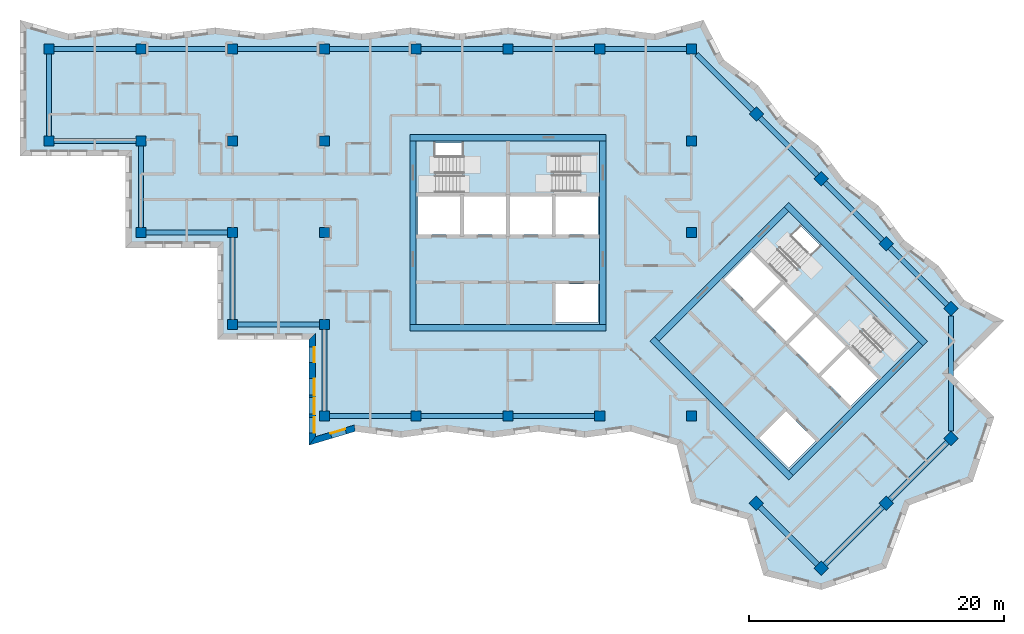
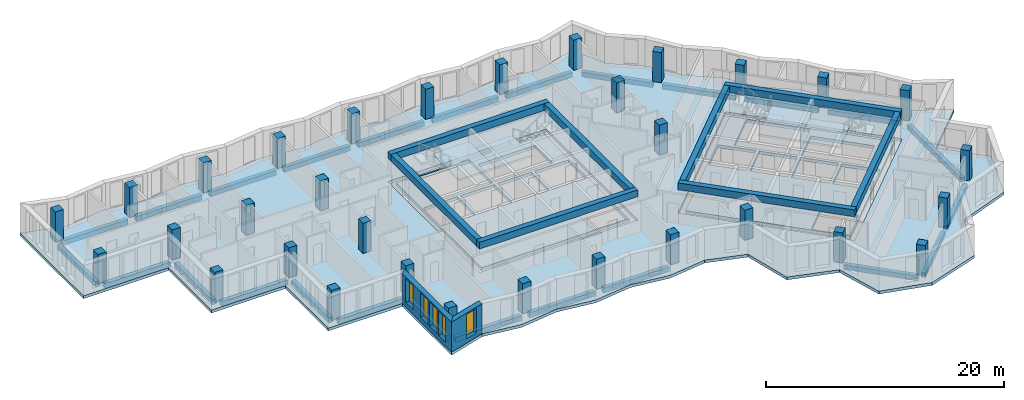
# One storey, part 1 of 12: 33 beams, 32 columns, 7 slabs, 5 windows, 2 walls, 21 openings, 4 elements without a shape of their own.
"""IFC4 building model written with IfcOpenShell, lengths in metres."""

from ifc_helpers import new_model, si_unit, direction, frame, frame_2d, origin, origin_2d, place, context, subcontext, project, spatial, polyline, rectangle, outline, extrude, material, layer, layer_set, material_profile, profile_set, type_object, element, fill, aggregate, save


model = new_model("IFC4")

# Units and contexts
model_context = context("Model", 3, precision=1e-05, world=origin(), true_north=direction((0.0, 1.0)))
body_context = subcontext(model_context, "Body", "Model", "MODEL_VIEW")
ifc_project = project(units=[si_unit("LENGTHUNIT", "METRE"), si_unit("AREAUNIT", "SQUARE_METRE"), si_unit("VOLUMEUNIT", "CUBIC_METRE"), si_unit("PLANEANGLEUNIT", "RADIAN"), si_unit("MASSUNIT", "GRAM", prefix="KILO")], contexts=[model_context])

# Site, building, storey
site_placement = place(None, origin())
site = spatial("IfcSite", under=ifc_project, at=site_placement, CompositionType="ELEMENT")
building_placement = place(site_placement, origin())
building = spatial("IfcBuilding", under=site, at=building_placement, Name="Windrow Commons", CompositionType="ELEMENT")
storey_placement = place(building_placement, frame((0.0, 0.0, 210.0)))
storey = spatial("IfcBuildingStorey", under=building, at=storey_placement, Name="L57", CompositionType="ELEMENT", Elevation=210.0)

# Columns
ifc_material_1 = material(Name="Concrete C50/60", Category="concrete")
ifc_material_profile_1 = material_profile(ifc_material_1, rectangle(XDim=0.8, YDim=0.8, at=origin_2d()))
ifc_profile_set_1 = profile_set([ifc_material_profile_1], Name="Concrete C50/60")
column_type = type_object("IfcColumnType", Name="RC COLUMN 800x800 C50/60", PredefinedType="COLUMN", material=ifc_profile_set_1)
for number, where, z_axis, x_axis, name in (
    (1, (28.8, 64.8, 0.0), (0.0, 0.0, 1.0), (1.0, 0.0, 0.0), "C-Z4-05I"),
    (2, (28.8, 72.0, 0.0), (0.0, 0.0, 1.0), (1.0, 0.0, 0.0), "C-Z4-05J"),
    (3, (36.0, 57.6, 0.0), (0.0, 0.0, 1.0), (1.0, 0.0, 0.0), "C-Z4-06H"),
    (4, (36.0, 64.8, 0.0), (0.0, 0.0, 1.0), (1.0, 0.0, 0.0), "C-Z4-06I"),
    (5, (36.0, 72.0, 0.0), (0.0, 0.0, 1.0), (1.0, 0.0, 0.0), "C-Z4-06J"),
    (6, (43.2, 50.4, 0.0), (0.0, 0.0, 1.0), (1.0, 0.0, 0.0), "C-Z4-07G"),
    (7, (43.2, 57.6, 0.0), (0.0, 0.0, 1.0), (1.0, 0.0, 0.0), "C-Z4-07H"),
    (8, (43.2, 64.8, 0.0), (0.0, 0.0, 1.0), (1.0, 0.0, 0.0), "C-Z4-07I"),
    (9, (43.2, 72.0, 0.0), (0.0, 0.0, 1.0), (1.0, 0.0, 0.0), "C-Z4-07J"),
    (10, (50.4, 43.2, 0.0), (0.0, 0.0, 1.0), (1.0, 0.0, 0.0), "C-Z4-08F"),
    (11, (50.4, 50.4, 0.0), (0.0, 0.0, 1.0), (1.0, 0.0, 0.0), "C-Z4-08G"),
    (12, (50.4, 57.6, 0.0), (0.0, 0.0, 1.0), (1.0, 0.0, 0.0), "C-Z4-08H"),
    (13, (50.4, 64.8, 0.0), (0.0, 0.0, 1.0), (1.0, 0.0, 0.0), "C-Z4-08I"),
    (14, (50.4, 72.0, 0.0), (0.0, 0.0, 1.0), (1.0, 0.0, 0.0), "C-Z4-08J"),
    (15, (57.6, 43.2, 0.0), (0.0, 0.0, 1.0), (1.0, 0.0, 0.0), "C-Z4-09F"),
    (16, (57.6, 72.0, 0.0), (0.0, 0.0, 1.0), (1.0, 0.0, 0.0), "C-Z4-09J"),
    (17, (64.8, 43.2, 0.0), (0.0, 0.0, 1.0), (1.0, 0.0, 0.0), "C-Z4-10F"),
    (18, (64.8, 72.0, 0.0), (0.0, 0.0, 1.0), (1.0, 0.0, 0.0), "C-Z4-10J"),
    (19, (72.0, 43.2, 0.0), (0.0, 0.0, 1.0), (1.0, 0.0, 0.0), "C-Z4-11F"),
    (20, (72.0, 72.0, 0.0), (0.0, 0.0, 1.0), (1.0, 0.0, 0.0), "C-Z4-11J"),
    (21, (79.2, 43.2, 0.0), (0.0, 0.0, 1.0), (1.0, 0.0, 0.0), "C-Z4-12F"),
    (22, (79.2, 57.6, 0.0), (0.0, 0.0, 1.0), (1.0, 0.0, 0.0), "C-Z4-12H"),
    (23, (79.2, 64.8, 0.0), (0.0, 0.0, 1.0), (1.0, 0.0, 0.0), "C-Z4-12I"),
    (24, (79.2, 72.0, 0.0), (0.0, 0.0, 1.0), (1.0, 0.0, 0.0), "C-Z4-12J"),
    (25, (84.2912, 66.9088, 0.0), (0.0, 0.0, 1.0), (0.7071067812, -0.7071067812, 0.0), "C-Z4-P2Q"),
    (26, (89.3823, 61.8177, 0.0), (0.0, 0.0, 1.0), (0.7071067812, -0.7071067812, 0.0), "C-Z4-P3Q"),
    (27, (94.4735, 56.7265, 0.0), (0.0, 0.0, 1.0), (0.7071067812, -0.7071067812, 0.0), "C-Z4-P4Q"),
    (28, (99.5647, 51.6353, 0.0), (0.0, 0.0, 1.0), (0.7071067812, -0.7071067812, 0.0), "C-Z4-P5Q"),
    (29, (84.2912, 36.3618, 0.0), (0.0, 0.0, 1.0), (0.7071067812, -0.7071067812, 0.0), "C-Z4-P5T"),
    (30, (99.5647, 41.453, 0.0), (0.0, 0.0, 1.0), (0.7071067812, -0.7071067812, 0.0), "C-Z4-P6R"),
    (31, (94.4735, 36.3618, 0.0), (0.0, 0.0, 1.0), (0.7071067812, -0.7071067812, 0.0), "C-Z4-P6S"),
    (32, (89.3823, 31.2706, 0.0), (0.0, 0.0, 1.0), (0.7071067812, -0.7071067812, 0.0), "C-Z4-P6T"),
):
    element("IfcColumn", number, at=place(storey_placement, frame(where, z_axis=z_axis, x_axis=x_axis)), inside=storey, type_object=column_type, Name=name, PredefinedType="COLUMN", context=body_context, shape_type="SweptSolid", body=[
        extrude(rectangle(XDim=0.8, YDim=0.8, at=origin_2d()), origin(), (0.0, 0.0, 1.0), 3.1),
    ])

# Beams
ifc_material_2 = material(Name="Concrete C40/50", Category="concrete")
ifc_material_profile_2 = material_profile(ifc_material_2, rectangle(XDim=0.5, YDim=0.7, at=origin_2d()))
ifc_profile_set_2 = profile_set([ifc_material_profile_2], Name="Concrete C40/50")
beam_type_1 = type_object("IfcBeamType", Name="RC COUPLING BEAM 500x700 C40/50", PredefinedType="LINTEL", material=ifc_profile_set_2)
for number, where, z_axis, x_axis, name in (
    (33, (57.1, 50.15, 2.75), (1.0, 0.0, 0.0), (0.0, 1.0, 0.0), "Core A coupling beam outer-S"),
    (34, (57.1, 65.05, 2.75), (1.0, 0.0, 0.0), (0.0, 1.0, 0.0), "Core A coupling beam outer-N"),
):
    element("IfcBeam", number, at=place(storey_placement, frame(where, z_axis=z_axis, x_axis=x_axis)), inside=storey, type_object=beam_type_1, Name=name, PredefinedType="LINTEL", context=body_context, shape_type="SweptSolid", body=[
        extrude(rectangle(XDim=0.5, YDim=0.7, at=origin_2d()), origin(), (0.0, 0.0, 1.0), 15.4),
    ])
for number, where, z_axis, x_axis, name in (
    (35, (57.35, 50.4, 2.75), (0.0, 1.0, 0.0), (-1.0, 0.0, 0.0), "Core A coupling beam outer-W"),
    (36, (72.25, 50.4, 2.75), (0.0, 1.0, 0.0), (-1.0, 0.0, 0.0), "Core A coupling beam outer-E"),
):
    element("IfcBeam", number, at=place(storey_placement, frame(where, z_axis=z_axis, x_axis=x_axis)), inside=storey, type_object=beam_type_1, Name=name, PredefinedType="LINTEL", context=body_context, shape_type="SweptSolid", body=[
        extrude(rectangle(XDim=0.5, YDim=0.7, at=origin_2d()), origin(), (0.0, 0.0, 1.0), 14.4),
    ])
for number, where, z_axis, x_axis, name in (
    (37, (76.1241, 49.2665, 2.75), (0.7071067812, -0.7071067812, 0.0), (0.7071067812, 0.7071067812, 0.0), "Core B coupling beam outer-S"),
    (38, (86.66, 59.8024, 2.75), (0.7071067812, -0.7071067812, 0.0), (0.7071067812, 0.7071067812, 0.0), "Core B coupling beam outer-N"),
):
    element("IfcBeam", number, at=place(storey_placement, frame(where, z_axis=z_axis, x_axis=x_axis)), inside=storey, type_object=beam_type_1, Name=name, PredefinedType="LINTEL", context=body_context, shape_type="SweptSolid", body=[
        extrude(rectangle(XDim=0.5, YDim=0.7, at=origin_2d()), origin(), (0.0, 0.0, 1.0), 15.3999),
    ])
for number, where, z_axis, x_axis, name in (
    (39, (76.4776, 49.2665, 2.75), (0.7071067812, 0.7071067812, 0.0), (-0.7071067812, 0.7071067812, 0.0), "Core B coupling beam outer-W"),
    (40, (87.0135, 38.7306, 2.75), (0.7071067812, 0.7071067812, 0.0), (-0.7071067812, 0.7071067812, 0.0), "Core B coupling beam outer-E"),
):
    element("IfcBeam", number, at=place(storey_placement, frame(where, z_axis=z_axis, x_axis=x_axis)), inside=storey, type_object=beam_type_1, Name=name, PredefinedType="LINTEL", context=body_context, shape_type="SweptSolid", body=[
        extrude(rectangle(XDim=0.5, YDim=0.7, at=origin_2d()), origin(), (0.0, 0.0, 1.0), 14.4001),
    ])
ifc_material_3 = material(Name="Concrete C40/50", Category="concrete")
ifc_material_profile_3 = material_profile(ifc_material_3, rectangle(XDim=0.4, YDim=0.5, at=origin_2d()))
ifc_profile_set_3 = profile_set([ifc_material_profile_3], Name="Concrete C40/50")
beam_type_2 = type_object("IfcBeamType", Name="RC EDGE BEAM 400x500 C40/50", PredefinedType="SPANDREL", material=ifc_profile_set_3)
for number, where, z_axis, x_axis, name in (
    (41, (57.2, 43.2, -0.55), (-1.0, 0.0, 0.0), (0.0, -1.0, 0.0), "Edge beam L57 001"),
    (42, (50.4, 43.6, -0.55), (0.0, 1.0, 0.0), (-1.0, 0.0, 0.0), "Edge beam L57 002"),
    (43, (50.0, 50.4, -0.55), (-1.0, 0.0, 0.0), (0.0, -1.0, 0.0), "Edge beam L57 003"),
    (44, (43.2, 50.8, -0.55), (0.0, 1.0, 0.0), (-1.0, 0.0, 0.0), "Edge beam L57 004"),
    (45, (42.8, 57.6, -0.55), (-1.0, 0.0, 0.0), (0.0, -1.0, 0.0), "Edge beam L57 005"),
    (46, (36.0, 58.0, -0.55), (0.0, 1.0, 0.0), (-1.0, 0.0, 0.0), "Edge beam L57 006"),
    (47, (35.6, 64.8, -0.55), (-1.0, 0.0, 0.0), (0.0, -1.0, 0.0), "Edge beam L57 007"),
    (48, (28.8, 65.2, -0.55), (0.0, 1.0, 0.0), (-1.0, 0.0, 0.0), "Edge beam L57 008"),
    (49, (29.2, 72.0, -0.55), (1.0, 0.0, 0.0), (0.0, 1.0, 0.0), "Edge beam L57 009"),
    (50, (36.4, 72.0, -0.55), (1.0, 0.0, 0.0), (0.0, 1.0, 0.0), "Edge beam L57 010"),
    (51, (43.6, 72.0, -0.55), (1.0, 0.0, 0.0), (0.0, 1.0, 0.0), "Edge beam L57 011"),
    (52, (50.8, 72.0, -0.55), (1.0, 0.0, 0.0), (0.0, 1.0, 0.0), "Edge beam L57 012"),
    (53, (58.0, 72.0, -0.55), (1.0, 0.0, 0.0), (0.0, 1.0, 0.0), "Edge beam L57 013"),
    (54, (65.2, 72.0, -0.55), (1.0, 0.0, 0.0), (0.0, 1.0, 0.0), "Edge beam L57 014"),
    (55, (72.4, 72.0, -0.55), (1.0, 0.0, 0.0), (0.0, 1.0, 0.0), "Edge beam L57 015"),
):
    element("IfcBeam", number, at=place(storey_placement, frame(where, z_axis=z_axis, x_axis=x_axis)), inside=storey, type_object=beam_type_2, Name=name, PredefinedType="SPANDREL", context=body_context, shape_type="SweptSolid", body=[
        extrude(rectangle(XDim=0.4, YDim=0.5, at=origin_2d()), origin(), (0.0, 0.0, 1.0), 6.4),
    ])
beam_1_placement = place(storey_placement, frame((79.6, 71.6, -0.55), z_axis=(0.7071067812, -0.7071067812, 0.0), x_axis=(0.7071067812, 0.7071067812, 0.0)))
element("IfcBeam", 56, at=beam_1_placement, inside=storey, type_object=beam_type_2, Name="Edge beam L57 016", PredefinedType="SPANDREL", context=body_context, shape_type="SweptSolid", body=[
    extrude(rectangle(XDim=0.4, YDim=0.5, at=origin_2d()), origin(), (0.0, 0.0, 1.0), 6.2344),
])
beam_2_placement = place(storey_placement, frame((84.574, 66.626, -0.55), z_axis=(0.7071067812, -0.7071067812, 0.0), x_axis=(0.7071067812, 0.7071067812, 0.0)))
element("IfcBeam", 57, at=beam_2_placement, inside=storey, type_object=beam_type_2, Name="Edge beam L57 017", PredefinedType="SPANDREL", context=body_context, shape_type="SweptSolid", body=[
    extrude(rectangle(XDim=0.4, YDim=0.5, at=origin_2d()), origin(), (0.0, 0.0, 1.0), 6.4),
])
for number, where, z_axis, x_axis, name in (
    (58, (89.6651, 61.5349, -0.55), (0.7071067812, -0.7071067812, 0.0), (0.7071067812, 0.7071067812, 0.0), "Edge beam L57 018"),
    (59, (94.7563, 56.4437, -0.55), (0.7071067812, -0.7071067812, 0.0), (0.7071067812, 0.7071067812, 0.0), "Edge beam L57 019"),
):
    element("IfcBeam", number, at=place(storey_placement, frame(where, z_axis=z_axis, x_axis=x_axis)), inside=storey, type_object=beam_type_2, Name=name, PredefinedType="SPANDREL", context=body_context, shape_type="SweptSolid", body=[
        extrude(rectangle(XDim=0.4, YDim=0.5, at=origin_2d()), origin(), (0.0, 0.0, 1.0), 6.4002),
    ])
beam_3_placement = place(storey_placement, frame((99.5647, 51.0696, -0.55), z_axis=(0.0, -1.0, 0.0), x_axis=(1.0, 0.0, 0.0)))
element("IfcBeam", 60, at=beam_3_placement, inside=storey, type_object=beam_type_2, Name="Edge beam L57 020", PredefinedType="SPANDREL", context=body_context, shape_type="SweptSolid", body=[
    extrude(rectangle(XDim=0.4, YDim=0.5, at=origin_2d()), origin(), (0.0, 0.0, 1.0), 9.0509),
])
for number, where, z_axis, x_axis, name in (
    (61, (99.2819, 41.1702, -0.55), (-0.7071067812, -0.7071067812, 0.0), (0.7071067812, -0.7071067812, 0.0), "Edge beam L57 021"),
    (62, (94.1907, 36.079, -0.55), (-0.7071067812, -0.7071067812, 0.0), (0.7071067812, -0.7071067812, 0.0), "Edge beam L57 022"),
):
    element("IfcBeam", number, at=place(storey_placement, frame(where, z_axis=z_axis, x_axis=x_axis)), inside=storey, type_object=beam_type_2, Name=name, PredefinedType="SPANDREL", context=body_context, shape_type="SweptSolid", body=[
        extrude(rectangle(XDim=0.4, YDim=0.5, at=origin_2d()), origin(), (0.0, 0.0, 1.0), 6.4002),
    ])
beam_4_placement = place(storey_placement, frame((89.0995, 31.5534, -0.55), z_axis=(-0.7070989688, 0.7071145935, 0.0), x_axis=(-0.7071145935, -0.7070989688, 0.0)))
element("IfcBeam", 63, at=beam_4_placement, inside=storey, type_object=beam_type_2, Name="Edge beam L57 023", PredefinedType="SPANDREL", context=body_context, shape_type="SweptSolid", body=[
    extrude(rectangle(XDim=0.4, YDim=0.5, at=origin_2d()), origin(), (0.0, 0.0, 1.0), 6.4001),
])
for number, where, z_axis, x_axis, name in (
    (64, (71.6, 43.2, -0.55), (-1.0, 0.0, 0.0), (0.0, -1.0, 0.0), "Edge beam L57 024"),
    (65, (64.4, 43.2, -0.55), (-1.0, 0.0, 0.0), (0.0, -1.0, 0.0), "Edge beam L57 025"),
):
    element("IfcBeam", number, at=place(storey_placement, frame(where, z_axis=z_axis, x_axis=x_axis)), inside=storey, type_object=beam_type_2, Name=name, PredefinedType="SPANDREL", context=body_context, shape_type="SweptSolid", body=[
        extrude(rectangle(XDim=0.4, YDim=0.5, at=origin_2d()), origin(), (0.0, 0.0, 1.0), 6.4),
    ])

# Slab, openings
ifc_material_4 = material(Name="Concrete C40/50", Category="concrete")
ifc_layer_1 = layer(ifc_material_4, 0.3)
ifc_layer_set_1 = layer_set([ifc_layer_1], Name="CORE FLOOR SLAB 300 C40/50")
slab_type_1 = type_object("IfcSlabType", Name="CORE FLOOR SLAB 300 C40/50", PredefinedType="FLOOR", material=ifc_layer_set_1)
placement_1 = place(storey_placement, frame((0.0, 0.0, -0.3)))
slab_1 = element("IfcSlab", 66, at=placement_1, inside=storey, type_object=slab_type_1, Name="S-L57-core-A", PredefinedType="FLOOR", context=body_context, shape_type="SweptSolid", body=[
    extrude(outline(polyline([(57.6, 50.4), (72.0, 50.4), (72.0, 64.8), (57.6, 64.8), (57.6, 50.4)]), holes=[polyline([(68.55, 50.55), (71.85, 50.55), (71.85, 53.55), (68.55, 53.55), (68.55, 50.55)]), polyline([(57.75, 57.45), (61.05, 57.45), (61.05, 60.45), (57.75, 60.45), (57.75, 57.45)]), polyline([(61.35, 57.45), (64.65, 57.45), (64.65, 60.45), (61.35, 60.45), (61.35, 57.45)]), polyline([(64.95, 57.45), (68.25, 57.45), (68.25, 60.45), (64.95, 60.45), (64.95, 57.45)]), polyline([(68.55, 57.45), (71.85, 57.45), (71.85, 60.45), (68.55, 60.45), (68.55, 57.45)]), polyline([(59.1, 60.75), (64.65, 60.75), (64.65, 64.65), (59.1, 64.65), (59.1, 60.75)]), polyline([(64.95, 60.75), (70.5, 60.75), (70.5, 63.705), (64.95, 63.705), (64.95, 60.75)])]), origin(), (0.0, 0.0, 1.0), 0.3),
])
opening_1_placement = place(placement_1, origin())
element("IfcOpeningElement", 67, at=opening_1_placement, cuts=slab_1, Name="Slab opening S-L57-core-A 1", PredefinedType="OPENING", context=body_context, shape_type="SweptSolid", body=[
    extrude(outline(polyline([(68.555, 50.555), (68.555, 53.545), (71.845, 53.545), (71.845, 50.555), (68.555, 50.555)])), origin(), (0.0, 0.0, 1.0), 0.3),
])
opening_2_placement = place(placement_1, origin())
element("IfcOpeningElement", 68, at=opening_2_placement, cuts=slab_1, Name="Slab opening S-L57-core-A 2", PredefinedType="OPENING", context=body_context, shape_type="SweptSolid", body=[
    extrude(outline(polyline([(57.755, 57.455), (57.755, 60.445), (61.045, 60.445), (61.045, 57.455), (57.755, 57.455)])), origin(), (0.0, 0.0, 1.0), 0.3),
])
opening_3_placement = place(placement_1, origin())
element("IfcOpeningElement", 69, at=opening_3_placement, cuts=slab_1, Name="Slab opening S-L57-core-A 3", PredefinedType="OPENING", context=body_context, shape_type="SweptSolid", body=[
    extrude(outline(polyline([(61.355, 57.455), (61.355, 60.445), (64.645, 60.445), (64.645, 57.455), (61.355, 57.455)])), origin(), (0.0, 0.0, 1.0), 0.3),
])
opening_4_placement = place(placement_1, origin())
element("IfcOpeningElement", 70, at=opening_4_placement, cuts=slab_1, Name="Slab opening S-L57-core-A 4", PredefinedType="OPENING", context=body_context, shape_type="SweptSolid", body=[
    extrude(outline(polyline([(64.955, 57.455), (64.955, 60.445), (68.245, 60.445), (68.245, 57.455), (64.955, 57.455)])), origin(), (0.0, 0.0, 1.0), 0.3),
])
opening_5_placement = place(placement_1, origin())
element("IfcOpeningElement", 71, at=opening_5_placement, cuts=slab_1, Name="Slab opening S-L57-core-A 5", PredefinedType="OPENING", context=body_context, shape_type="SweptSolid", body=[
    extrude(outline(polyline([(68.555, 57.455), (68.555, 60.445), (71.845, 60.445), (71.845, 57.455), (68.555, 57.455)])), origin(), (0.0, 0.0, 1.0), 0.3),
])
opening_6_placement = place(placement_1, origin())
element("IfcOpeningElement", 72, at=opening_6_placement, cuts=slab_1, Name="Slab opening S-L57-core-A 6", PredefinedType="OPENING", context=body_context, shape_type="SweptSolid", body=[
    extrude(outline(polyline([(59.105, 60.755), (59.105, 64.645), (64.645, 64.645), (64.645, 60.755), (59.105, 60.755)])), origin(), (0.0, 0.0, 1.0), 0.3),
])
opening_7_placement = place(placement_1, origin())
element("IfcOpeningElement", 73, at=opening_7_placement, cuts=slab_1, Name="Slab opening S-L57-core-A 7", PredefinedType="OPENING", context=body_context, shape_type="SweptSolid", body=[
    extrude(outline(polyline([(64.955, 60.755), (64.955, 63.7), (70.495, 63.7), (70.495, 60.755), (64.955, 60.755)])), origin(), (0.0, 0.0, 1.0), 0.3),
])

slab_2 = element("IfcSlab", 74, at=placement_1, inside=storey, type_object=slab_type_1, Name="S-L57-core-B", PredefinedType="FLOOR", context=body_context, shape_type="SweptSolid", body=[
    extrude(outline(polyline([(76.6544, 49.0897), (86.8368, 38.9074), (97.0191, 49.0897), (86.8368, 59.2721), (76.6544, 49.0897)]), holes=[polyline([(84.5033, 41.453), (86.8368, 39.1195), (88.9581, 41.2409), (86.6246, 43.5743), (84.5033, 41.453)]), polyline([(81.7456, 53.9688), (84.079, 51.6353), (86.2004, 53.7566), (83.8669, 56.0901), (81.7456, 53.9688)]), polyline([(84.2912, 51.4232), (86.6246, 49.0897), (88.7459, 51.2111), (86.4125, 53.5445), (84.2912, 51.4232)]), polyline([(86.8368, 48.8776), (89.1702, 46.5442), (91.2915, 48.6655), (88.9581, 50.9989), (86.8368, 48.8776)]), polyline([(89.3823, 46.332), (91.7158, 43.9986), (93.8371, 46.1199), (91.5037, 48.4533), (89.3823, 46.332)]), polyline([(85.0336, 55.3476), (88.9581, 51.4232), (91.7158, 54.1809), (87.7913, 58.1054), (85.0336, 55.3476)]), polyline([(89.1702, 51.2111), (93.0946, 47.2866), (95.1841, 49.3761), (91.2597, 53.3006), (89.1702, 51.2111)])]), origin(), (0.0, 0.0, 1.0), 0.3),
])
opening_8_placement = place(placement_1, origin())
element("IfcOpeningElement", 75, at=opening_8_placement, cuts=slab_2, Name="Slab opening S-L57-core-B 1", PredefinedType="OPENING", context=body_context, shape_type="SweptSolid", body=[
    extrude(outline(polyline([(84.5104, 41.453), (86.6246, 43.5672), (88.951, 41.2409), (86.8368, 39.1266), (84.5104, 41.453)])), origin(), (0.0, 0.0, 1.0), 0.3),
])
opening_9_placement = place(placement_1, origin())
element("IfcOpeningElement", 76, at=opening_9_placement, cuts=slab_2, Name="Slab opening S-L57-core-B 2", PredefinedType="OPENING", context=body_context, shape_type="SweptSolid", body=[
    extrude(outline(polyline([(81.7527, 53.9688), (83.8669, 56.083), (86.1933, 53.7566), (84.079, 51.6424), (81.7527, 53.9688)])), origin(), (0.0, 0.0, 1.0), 0.3),
])
opening_10_placement = place(placement_1, origin())
element("IfcOpeningElement", 77, at=opening_10_placement, cuts=slab_2, Name="Slab opening S-L57-core-B 3", PredefinedType="OPENING", context=body_context, shape_type="SweptSolid", body=[
    extrude(outline(polyline([(84.2983, 51.4232), (86.4125, 53.5374), (88.7388, 51.2111), (86.6246, 49.0968), (84.2983, 51.4232)])), origin(), (0.0, 0.0, 1.0), 0.3),
])
opening_11_placement = place(placement_1, origin())
element("IfcOpeningElement", 78, at=opening_11_placement, cuts=slab_2, Name="Slab opening S-L57-core-B 4", PredefinedType="OPENING", context=body_context, shape_type="SweptSolid", body=[
    extrude(outline(polyline([(86.8439, 48.8776), (88.9581, 50.9918), (91.2844, 48.6655), (89.1702, 46.5513), (86.8439, 48.8776)])), origin(), (0.0, 0.0, 1.0), 0.3),
])
opening_12_placement = place(placement_1, origin())
element("IfcOpeningElement", 79, at=opening_12_placement, cuts=slab_2, Name="Slab opening S-L57-core-B 5", PredefinedType="OPENING", context=body_context, shape_type="SweptSolid", body=[
    extrude(outline(polyline([(89.3894, 46.332), (91.5037, 48.4462), (93.83, 46.1199), (91.7158, 44.0057), (89.3894, 46.332)])), origin(), (0.0, 0.0, 1.0), 0.3),
])
opening_13_placement = place(placement_1, origin())
element("IfcOpeningElement", 80, at=opening_13_placement, cuts=slab_2, Name="Slab opening S-L57-core-B 6", PredefinedType="OPENING", context=body_context, shape_type="SweptSolid", body=[
    extrude(outline(polyline([(85.0407, 55.3476), (87.7913, 58.0983), (91.7087, 54.1809), (88.9581, 51.4303), (85.0407, 55.3476)])), origin(), (0.0, 0.0, 1.0), 0.3),
])
opening_14_placement = place(placement_1, origin())
element("IfcOpeningElement", 81, at=opening_14_placement, cuts=slab_2, Name="Slab opening S-L57-core-B 7", PredefinedType="OPENING", context=body_context, shape_type="SweptSolid", body=[
    extrude(outline(polyline([(89.1773, 51.2111), (91.2597, 53.2935), (95.177, 49.3761), (93.0946, 47.2937), (89.1773, 51.2111)])), origin(), (0.0, 0.0, 1.0), 0.3),
])

# Stair, slab
ifc_material_5 = material(Name="Concrete C40/50", Category="concrete")
stair_type = type_object("IfcStairType", Name="Core stair", PredefinedType="HALF_TURN_STAIR", material=ifc_material_5)
placement_2 = place(storey_placement, origin())
stair_1 = element("IfcStair", 82, at=placement_2, inside=storey, type_object=stair_type, Name="L57 Exit stair A1 core A", PredefinedType="HALF_TURN_STAIR")
ifc_material_6 = material(Name="Concrete C40/50", Category="concrete")
ifc_layer_2 = layer(ifc_material_6, 0.2)
ifc_layer_set_2 = layer_set([ifc_layer_2], Name="Core stair landing")
slab_type_2 = type_object("IfcSlabType", Name="Core stair landing", PredefinedType="LANDING", material=ifc_layer_set_2)
placement_3 = place(storey_placement, frame((0.0, 0.0, 1.5)))
slab_3 = element("IfcSlab", 83, at=placement_3, type_object=slab_type_2, Name="ST-A1 landing 1", PredefinedType="LANDING", context=body_context, shape_type="SweptSolid", body=[
    extrude(outline(polyline([(61.22, 60.5), (64.8, 60.5), (64.8, 64.9), (61.22, 64.9), (61.22, 60.5)])), origin(), (0.0, 0.0, 1.0), 0.2),
])
aggregate(stair_1, [slab_3])

stair_2 = element("IfcStair", 84, at=placement_2, inside=storey, type_object=stair_type, Name="L57 Exit stair A2 core A", PredefinedType="HALF_TURN_STAIR")
slab_4 = element("IfcSlab", 85, at=placement_3, type_object=slab_type_2, Name="ST-A2 landing 1", PredefinedType="LANDING", context=body_context, shape_type="SweptSolid", body=[
    extrude(outline(polyline([(64.8, 60.5), (68.38, 60.5), (68.38, 63.855), (64.8, 63.855), (64.8, 60.5)])), origin(), (0.0, 0.0, 1.0), 0.2),
])
aggregate(stair_2, [slab_4])

stair_3 = element("IfcStair", 86, at=placement_2, inside=storey, type_object=stair_type, Name="L57 Exit stair B1 core B", PredefinedType="HALF_TURN_STAIR")
slab_5 = element("IfcSlab", 87, at=placement_3, type_object=slab_type_2, Name="ST-B1 landing 1", PredefinedType="LANDING", context=body_context, shape_type="SweptSolid", body=[
    extrude(outline(polyline([(86.3559, 53.6718), (88.8874, 51.1403), (91.9986, 54.2516), (89.4672, 56.7831), (86.3559, 53.6718)])), origin(), (0.0, 0.0, 1.0), 0.2),
])
aggregate(stair_3, [slab_5])

stair_4 = element("IfcStair", 88, at=placement_2, inside=storey, type_object=stair_type, Name="L57 Exit stair B2 core B", PredefinedType="HALF_TURN_STAIR")
slab_6 = element("IfcSlab", 89, at=placement_3, type_object=slab_type_2, Name="ST-B2 landing 1", PredefinedType="LANDING", context=body_context, shape_type="SweptSolid", body=[
    extrude(outline(polyline([(88.8874, 51.1403), (91.4188, 48.6089), (93.7911, 50.9812), (91.2597, 53.5127), (88.8874, 51.1403)])), origin(), (0.0, 0.0, 1.0), 0.2),
])
aggregate(stair_4, [slab_6])

# Slab, openings
ifc_material_7 = material(Name="Concrete C40/50", Category="concrete")
ifc_layer_3 = layer(ifc_material_7, 0.3)
ifc_layer_set_3 = layer_set([ifc_layer_3], Name="FLOOR SLAB 300 C40/50")
slab_type_3 = type_object("IfcSlabType", Name="FLOOR SLAB 300 C40/50", PredefinedType="FLOOR", material=ifc_layer_set_3)
slab_7 = element("IfcSlab", 90, at=placement_1, inside=storey, type_object=slab_type_3, Name="S-L57-floor", PredefinedType="FLOOR", context=body_context, shape_type="SweptSolid", body=[
    extrude(outline(polyline([(84.8491, 30.7126), (89.3823, 29.5736), (94.4735, 31.2706), (96.312, 36.2204), (101.2617, 38.0588), (102.9588, 43.15), (99.5647, 46.5442), (103.7239, 50.7034), (100.6009, 52.2962), (98.5839, 54.9948), (95.8852, 57.0119), (93.8682, 59.7106), (91.1695, 61.7276), (89.1525, 64.4263), (86.4538, 66.4433), (84.4367, 69.142), (81.7381, 71.159), (80.1453, 74.282), (76.3148, 73.2), (72.4842, 73.682), (68.6537, 73.2), (64.8232, 73.682), (60.9927, 73.2), (57.1622, 73.682), (53.3316, 73.2), (49.5011, 73.682), (45.6706, 73.2), (41.8401, 73.682), (38.0096, 73.2), (34.179, 73.682), (30.3485, 73.2), (26.518, 74.282), (26.518, 63.6), (34.8, 63.6), (34.8, 56.4), (42.0, 56.4), (42.0, 49.2), (49.2, 49.2), (49.2, 40.918), (52.8047, 42.0), (56.4095, 41.518), (60.0142, 42.0), (63.619, 41.518), (67.2237, 42.0), (70.8284, 41.518), (74.4332, 42.0), (78.0379, 40.918), (79.1769, 36.3848), (83.5687, 35.1044), (84.8491, 30.7126)]), holes=[polyline([(75.9473, 49.0897), (86.8368, 59.9792), (97.7262, 49.0897), (86.8368, 38.2003), (75.9473, 49.0897)]), polyline([(57.1, 49.9), (57.1, 65.3), (72.5, 65.3), (72.5, 49.9), (57.1, 49.9)])]), origin(), (0.0, 0.0, 1.0), 0.3),
])
opening_15_placement = place(placement_1, origin())
element("IfcOpeningElement", 91, at=opening_15_placement, cuts=slab_7, Name="Slab opening S-L57-floor 1", PredefinedType="OPENING", context=body_context, shape_type="SweptSolid", body=[
    extrude(outline(polyline([(75.9544, 49.0897), (86.8368, 59.9721), (97.7191, 49.0897), (86.8368, 38.2074), (75.9544, 49.0897)])), origin(), (0.0, 0.0, 1.0), 0.3),
])
opening_16_placement = place(placement_1, origin())
element("IfcOpeningElement", 92, at=opening_16_placement, cuts=slab_7, Name="Slab opening S-L57-floor 2", PredefinedType="OPENING", context=body_context, shape_type="SweptSolid", body=[
    extrude(outline(polyline([(57.105, 49.905), (57.105, 65.295), (72.495, 65.295), (72.495, 49.905), (57.105, 49.905)])), origin(), (0.0, 0.0, 1.0), 0.3),
])

# Wall, openings, windows
ifc_material_8 = material(Name="Brick masonry, red clay brick", Category="masonry")
ifc_layer_4 = layer(ifc_material_8, 0.5)
ifc_layer_set_4 = layer_set([ifc_layer_4], Name="Brick facade wall 500")
wall_type = type_object("IfcWallType", Name="Brick facade wall 500", PredefinedType="SOLIDWALL", material=ifc_layer_set_4)
wall_1_placement = place(storey_placement, frame((49.45, 49.45, 0.0), z_axis=(0.0, 0.0, 1.0), x_axis=(0.0, -1.0, 0.0)))
wall_1 = element("IfcWall", 93, at=wall_1_placement, inside=storey, type_object=wall_type, Name="Brick facade wall L57 37", PredefinedType="SOLIDWALL", context=body_context, shape_type="SweptSolid", body=[
    extrude(outline(polyline([(0.25, -0.25), (8.532, -0.25), (7.8599, 0.25), (-0.25, 0.25), (0.25, -0.25)])), origin(), (0.0, 0.0, 1.0), 3.1),
])
opening_17_placement = place(wall_1_placement, frame((3.3, 0.0, 0.45)))
opening_17 = element("IfcOpeningElement", 94, at=opening_17_placement, cuts=wall_1, Name="Opening W1Q", PredefinedType="OPENING", context=body_context, shape_type="SweptSolid", body=[
    extrude(rectangle(XDim=1.3, YDim=2.5, at=frame_2d((0.65, 1.25))), frame((0.0, 0.26, 0.0), z_axis=(0.0, -1.0, 0.0), x_axis=(1.0, 0.0, 0.0)), (0.0, 0.0, 1.0), 0.52),
])
opening_18_placement = place(wall_1_placement, frame((4.8, 0.0, 0.45)))
opening_18 = element("IfcOpeningElement", 95, at=opening_18_placement, cuts=wall_1, Name="Opening W1Q", PredefinedType="OPENING", context=body_context, shape_type="SweptSolid", body=[
    extrude(rectangle(XDim=1.3, YDim=2.5, at=frame_2d((0.65, 1.25))), frame((0.0, 0.26, 0.0), z_axis=(0.0, -1.0, 0.0), x_axis=(1.0, 0.0, 0.0)), (0.0, 0.0, 1.0), 0.52),
])
opening_19_placement = place(wall_1_placement, frame((0.825, 0.0, 0.45)))
opening_19 = element("IfcOpeningElement", 96, at=opening_19_placement, cuts=wall_1, Name="Opening W7E", PredefinedType="OPENING", context=body_context, shape_type="SweptSolid", body=[
    extrude(rectangle(XDim=1.2, YDim=2.5, at=frame_2d((0.6, 1.25))), frame((0.0, 0.26, 0.0), z_axis=(0.0, -1.0, 0.0), x_axis=(1.0, 0.0, 0.0)), (0.0, 0.0, 1.0), 0.52),
])
opening_20_placement = place(wall_1_placement, frame((6.3549, 0.0, 0.45)))
opening_20 = element("IfcOpeningElement", 97, at=opening_20_placement, cuts=wall_1, Name="Opening W7E", PredefinedType="OPENING", context=body_context, shape_type="SweptSolid", body=[
    extrude(rectangle(XDim=1.2, YDim=2.5, at=frame_2d((0.6, 1.25))), frame((0.0, 0.26, 0.0), z_axis=(0.0, -1.0, 0.0), x_axis=(1.0, 0.0, 0.0)), (0.0, 0.0, 1.0), 0.52),
])
ifc_material_9 = material(Name="Clear float glass in anodised aluminium frame", Category="aluminium")
window_type_1 = type_object("IfcWindowType", Name="Window W1Q pair 1300x2500", PartitioningType="SINGLE_PANEL", PredefinedType="WINDOW", material=ifc_material_9)
window_1_placement = place(opening_17_placement, origin())
window_1 = element("IfcWindow", 98, at=window_1_placement, inside=storey, type_object=window_type_1, Name="Window L57 37.1A", OverallHeight=2.5, OverallWidth=1.3, PartitioningType="SINGLE_PANEL", PredefinedType="WINDOW", context=body_context, shape_type="SweptSolid", body=[
    extrude(rectangle(XDim=1.3, YDim=2.5, at=frame_2d((0.65, 1.25))), frame((0.0, 0.18, 0.0), z_axis=(0.0, -1.0, 0.0), x_axis=(1.0, 0.0, 0.0)), (0.0, 0.0, 1.0), 0.06),
])
fill(opening_17, window_1)
window_2_placement = place(opening_18_placement, origin())
window_2 = element("IfcWindow", 99, at=window_2_placement, inside=storey, type_object=window_type_1, Name="Window L57 37.1B", OverallHeight=2.5, OverallWidth=1.3, PartitioningType="SINGLE_PANEL", PredefinedType="WINDOW", context=body_context, shape_type="SweptSolid", body=[
    extrude(rectangle(XDim=1.3, YDim=2.5, at=frame_2d((0.65, 1.25))), frame((0.0, 0.18, 0.0), z_axis=(0.0, -1.0, 0.0), x_axis=(1.0, 0.0, 0.0)), (0.0, 0.0, 1.0), 0.06),
])
fill(opening_18, window_2)
ifc_material_10 = material(Name="Clear float glass in anodised aluminium frame", Category="aluminium")
window_type_2 = type_object("IfcWindowType", Name="Window W7 notch 1200x2500", PartitioningType="SINGLE_PANEL", PredefinedType="WINDOW", material=ifc_material_10)
window_3_placement = place(opening_19_placement, origin())
window_3 = element("IfcWindow", 100, at=window_3_placement, inside=storey, type_object=window_type_2, Name="Window L57 37.2", OverallHeight=2.5, OverallWidth=1.2, PartitioningType="SINGLE_PANEL", PredefinedType="WINDOW", context=body_context, shape_type="SweptSolid", body=[
    extrude(rectangle(XDim=1.2, YDim=2.5, at=frame_2d((0.6, 1.25))), frame((0.0, 0.18, 0.0), z_axis=(0.0, -1.0, 0.0), x_axis=(1.0, 0.0, 0.0)), (0.0, 0.0, 1.0), 0.06),
])
fill(opening_19, window_3)
window_4_placement = place(opening_20_placement, origin())
window_4 = element("IfcWindow", 101, at=window_4_placement, inside=storey, type_object=window_type_2, Name="Window L57 37.3", OverallHeight=2.5, OverallWidth=1.2, PartitioningType="SINGLE_PANEL", PredefinedType="WINDOW", context=body_context, shape_type="SweptSolid", body=[
    extrude(rectangle(XDim=1.2, YDim=2.5, at=frame_2d((0.6, 1.25))), frame((0.0, 0.18, 0.0), z_axis=(0.0, -1.0, 0.0), x_axis=(1.0, 0.0, 0.0)), (0.0, 0.0, 1.0), 0.06),
])
fill(opening_20, window_4)

# Wall, opening, window
wall_2_placement = place(storey_placement, frame((49.45, 41.2541, 0.0), z_axis=(0.0, 0.0, 1.0), x_axis=(0.9577907027, 0.2874664673, 0.0)))
wall_2 = element("IfcWall", 102, at=wall_2_placement, inside=storey, type_object=wall_type, Name="Brick facade wall L57 38", PredefinedType="SOLIDWALL", context=body_context, shape_type="SweptSolid", body=[
    extrude(outline(polyline([(-0.3361, -0.25), (3.4276, -0.25), (3.5353, 0.25), (0.3361, 0.25), (-0.3361, -0.25)])), origin(), (0.0, 0.0, 1.0), 3.1),
])
opening_21_placement = place(wall_2_placement, frame((1.5367, 0.0, 0.45)))
opening_21 = element("IfcOpeningElement", 103, at=opening_21_placement, cuts=wall_2, Name="Opening W7E", PredefinedType="OPENING", context=body_context, shape_type="SweptSolid", body=[
    extrude(rectangle(XDim=1.2, YDim=2.5, at=frame_2d((0.6, 1.25))), frame((0.0, 0.26, 0.0), z_axis=(0.0, -1.0, 0.0), x_axis=(1.0, 0.0, 0.0)), (0.0, 0.0, 1.0), 0.52),
])
window_5_placement = place(opening_21_placement, origin())
window_5 = element("IfcWindow", 104, at=window_5_placement, inside=storey, type_object=window_type_2, Name="Window L57 38.1", OverallHeight=2.5, OverallWidth=1.2, PartitioningType="SINGLE_PANEL", PredefinedType="WINDOW", context=body_context, shape_type="SweptSolid", body=[
    extrude(rectangle(XDim=1.2, YDim=2.5, at=frame_2d((0.6, 1.25))), frame((0.0, 0.18, 0.0), z_axis=(0.0, -1.0, 0.0), x_axis=(1.0, 0.0, 0.0)), (0.0, 0.0, 1.0), 0.06),
])
fill(opening_21, window_5)

save(model, "model.ifc")
